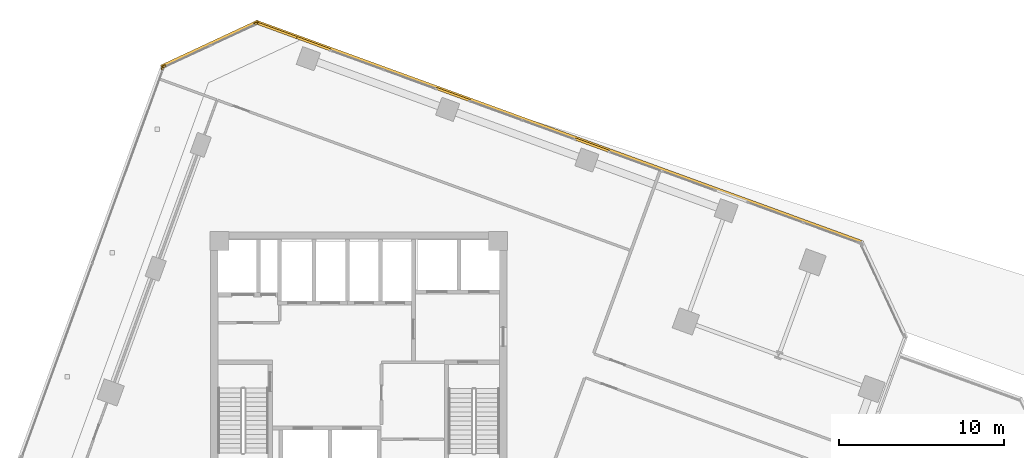
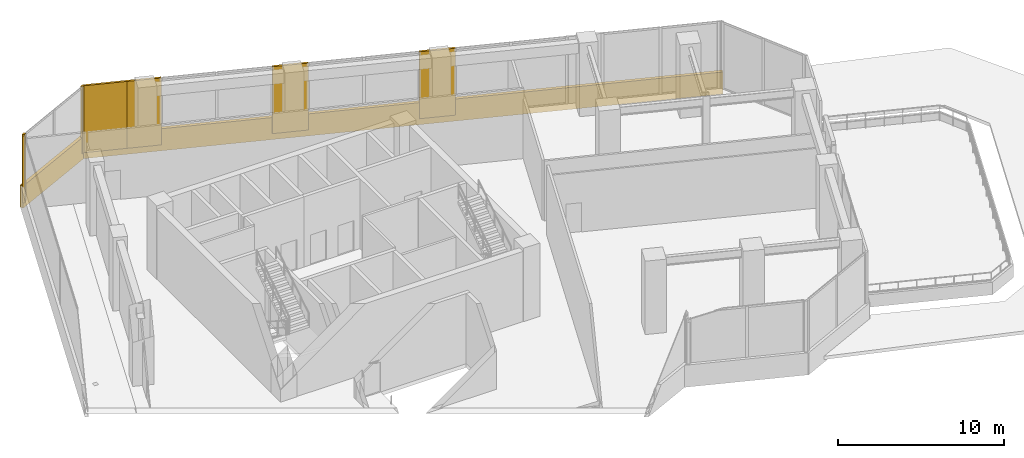
# One storey, part 21 of 21: 9 coverings.
"""IFC4 building model written with IfcOpenShell, lengths in metres."""

from ifc_helpers import new_model, si_unit, direction, frame, origin, origin_2d, place, context, subcontext, project, spatial, rectangle, extrude, source, transform, mapped, material, layer, layer_set, type_object, element, save


model = new_model("IFC4")

# Units and contexts
model_context = context("Model", 3, precision=1e-05, world=origin(), true_north=direction((0.0, 1.0)))
body_context = subcontext(model_context, "Body", "Model", "MODEL_VIEW")
ifc_project = project(units=[si_unit("LENGTHUNIT", "METRE"), si_unit("AREAUNIT", "SQUARE_METRE"), si_unit("VOLUMEUNIT", "CUBIC_METRE"), si_unit("PLANEANGLEUNIT", "RADIAN"), si_unit("MASSUNIT", "GRAM", prefix="KILO")], contexts=[model_context])

# Site, building, storey
site_placement = place(None, origin())
site = spatial("IfcSite", under=ifc_project, at=site_placement, CompositionType="ELEMENT")
building_placement = place(site_placement, origin())
building = spatial("IfcBuilding", under=site, at=building_placement, Name="Torre Montelarca", CompositionType="ELEMENT")
storey_placement = place(building_placement, frame((0.0, 0.0, 127.60009765625)))
storey = spatial("IfcBuildingStorey", under=building, at=storey_placement, Name="L28", CompositionType="ELEMENT", Elevation=127.60009765625)

# Coverings
ifc_material = material(Name="Bush-hammered warm white precast concrete C45/55", Category="concrete")
ifc_layer = layer(ifc_material, 0.139892578125, Name="Bush-hammered warm white precast concrete C45/55", Category="concrete")
ifc_layer_set = layer_set([ifc_layer], Name="Bush-hammered warm white precast concrete C45/55")
covering_type = type_object("IfcCoveringType", Name="COV-TRAY-CLAD", PredefinedType="CLADDING", material=ifc_layer_set)
shared_shape_1 = source(origin(), body_context, "Body", "SweptSolid", [
    extrude(rectangle(XDim=6.48388671875, YDim=0.219970703125, at=origin_2d()), origin(), (0.0, 0.0, 1.0), 1.6201171875),
])
covering_1_placement = place(storey_placement, frame((8.946533203125, 51.391845703125, -0.4501953125), z_axis=(0.0, 0.0, 1.0), x_axis=(-0.906309262247, -0.422615098127, 0.0)))
element("IfcCovering", 1, at=covering_1_placement, inside=storey, type_object=covering_type, Name="L28 Architectural White Spandrel Tray Band TRYBOT-09", PredefinedType="CLADDING", context=body_context, shape_type="MappedRepresentation", body=[
    mapped(shared_shape_1, transform((0.0, 0.0, 0.0), scale=1.0)),
])
shared_shape_2 = source(origin(), body_context, "Body", "SweptSolid", [
    extrude(rectangle(XDim=0.199951171875, YDim=0.139892578125, at=origin_2d()), origin(), (0.0, 0.0, 1.0), 4.919921875),
])
for number, where, z_axis, x_axis, name in (
    (2, (11.750732421875, 52.633056640625, 0.0), (0.0, 0.0, 1.0), (-0.906310737447, -0.422611934508, 0.0), "L28 Architectural Column Pier Cladding E09-1"),
    (3, (6.193115234375, 50.04150390625, 0.0), (0.0, 0.0, 1.0), (-0.906310737447, -0.422611934508, 0.0), "L28 Architectural Column Pier Cladding E09-2"),
    (4, (6.094970703125, 49.9345703125, 0.0), (0.0, 0.0, 1.0), (-0.342018503252, -0.939693217722, 0.0), "L28 Architectural Column Pier Cladding E10-1"),
):
    element("IfcCovering", number, at=place(storey_placement, frame(where, z_axis=z_axis, x_axis=x_axis)), inside=storey, type_object=covering_type, Name=name, PredefinedType="CLADDING", context=body_context, shape_type="MappedRepresentation", body=[
        mapped(shared_shape_2, transform((0.0, 0.0, 0.0), scale=1.0)),
    ])
shared_shape_3 = source(origin(), body_context, "Body", "SweptSolid", [
    extrude(rectangle(XDim=2.2099609375, YDim=0.139892578125, at=origin_2d()), origin(), (0.0, 0.0, 1.0), 4.919921875),
])
for number, where, z_axis, x_axis, name in (
    (5, (32.17822265625, 45.25732421875, 0.0), (0.0, 0.0, 1.0), (-0.939693814656, 0.342016863178, 0.0), "L28 Architectural Column Pier Cladding E08-3"),
    (6, (23.720947265625, 48.33544921875, 0.0), (0.0, 0.0, 1.0), (-0.939693814656, 0.342016863178, 0.0), "L28 Architectural Column Pier Cladding E08-4"),
    (7, (15.263671875, 51.413818359375, 0.0), (0.0, 0.0, 1.0), (-0.939693814656, 0.342016863178, 0.0), "L28 Architectural Column Pier Cladding E08-5"),
):
    element("IfcCovering", number, at=place(storey_placement, frame(where, z_axis=z_axis, x_axis=x_axis)), inside=storey, type_object=covering_type, Name=name, PredefinedType="CLADDING", context=body_context, shape_type="MappedRepresentation", body=[
        mapped(shared_shape_3, transform((0.0, 0.0, 0.0), scale=1.0)),
    ])
shared_shape_4 = source(origin(), body_context, "Body", "SweptSolid", [
    extrude(rectangle(XDim=2.67919921875, YDim=0.139892578125, at=origin_2d()), origin(), (0.0, 0.0, 1.0), 4.919921875),
])
covering_2_placement = place(storey_placement, frame((13.060546875, 52.215576171875, 0.0), z_axis=(0.0, 0.0, 1.0), x_axis=(-0.939693814656, 0.342016863178, 0.0)))
element("IfcCovering", 8, at=covering_2_placement, inside=storey, type_object=covering_type, Name="L28 Architectural Column Pier Cladding E08-6", PredefinedType="CLADDING", context=body_context, shape_type="MappedRepresentation", body=[
    mapped(shared_shape_4, transform((0.0, 0.0, 0.0), scale=1.0)),
])
shared_shape_5 = source(origin(), body_context, "Body", "SweptSolid", [
    extrude(rectangle(XDim=39.219970703125, YDim=0.219970703125, at=origin_2d()), origin(), (0.0, 0.0, 1.0), 1.6201171875),
])
covering_3_placement = place(storey_placement, frame((30.178466796875, 46.049072265625, -0.4501953125), z_axis=(0.0, 0.0, 1.0), x_axis=(-0.939693217722, 0.342018503252, 0.0)))
element("IfcCovering", 9, at=covering_3_placement, inside=storey, type_object=covering_type, Name="L28 Architectural White Spandrel Tray Band TRYBOT-08", PredefinedType="CLADDING", context=body_context, shape_type="MappedRepresentation", body=[
    mapped(shared_shape_5, transform((0.0, 0.0, 0.0), scale=1.0)),
])

save(model, "model.ifc")
